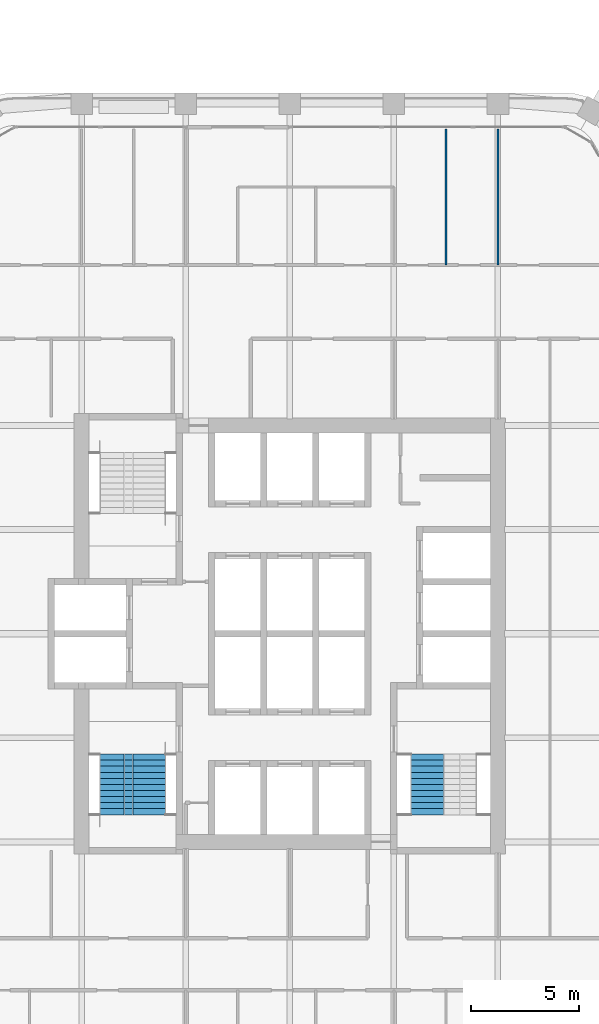
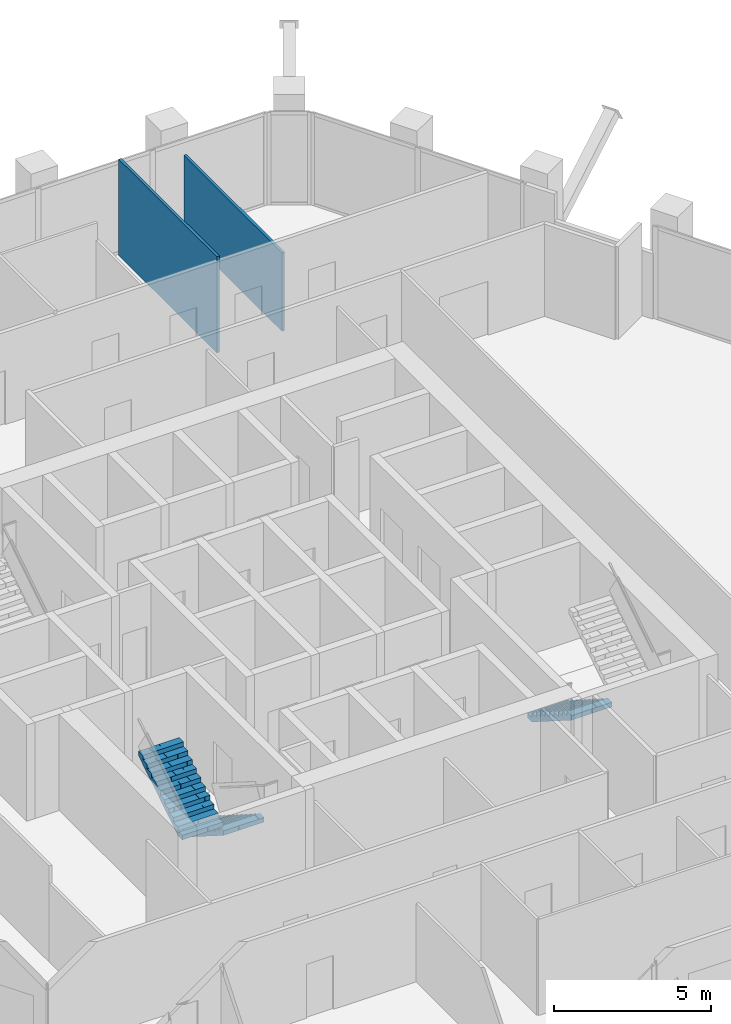
# One storey, part 13 of 16: 3 stair flights, 2 walls, 2 elements without a shape of their own.
"""IFC4 building model written with IfcOpenShell, lengths in metres."""

from ifc_helpers import new_model, si_unit, direction, frame, frame_2d, origin, place, context, subcontext, project, spatial, polyline, rectangle, outline, extrude, material, layer, layer_set, type_object, element, aggregate, save


model = new_model("IFC4")

# Units and contexts
model_context = context("Model", 3, precision=1e-05, world=origin(), true_north=direction((0.0, 1.0)))
body_context = subcontext(model_context, "Body", "Model", "MODEL_VIEW")
ifc_project = project(units=[si_unit("LENGTHUNIT", "METRE"), si_unit("AREAUNIT", "SQUARE_METRE"), si_unit("VOLUMEUNIT", "CUBIC_METRE"), si_unit("PLANEANGLEUNIT", "RADIAN"), si_unit("MASSUNIT", "GRAM", prefix="KILO")], contexts=[model_context])

# Site, building, storey
site_placement = place(None, origin())
site = spatial("IfcSite", under=ifc_project, at=site_placement, CompositionType="ELEMENT")
building_placement = place(site_placement, origin())
building = spatial("IfcBuilding", under=site, at=building_placement, Name="Kolab Exchange Tower", CompositionType="ELEMENT")
storey_placement = place(building_placement, frame((0.0, 0.0, 177.800048828125)))
storey = spatial("IfcBuildingStorey", under=building, at=storey_placement, Name="L37", CompositionType="ELEMENT", Elevation=177.800048828125)

# Walls
ifc_material_1 = material(Name="Gypsum board", Category="gypsum")
ifc_layer = layer(ifc_material_1, 0.10009765625)
ifc_layer_set = layer_set([ifc_layer], Name="Gypsum board")
wall_type = type_object("IfcWallType", Name="PARTITION 100", PredefinedType="PARTITIONING", material=ifc_layer_set)
wall_1_placement = place(storey_placement, frame((9.60009765625, 17.0, 0.0), z_axis=(0.0, 0.0, 1.0), x_axis=(0.0, 1.0, 0.0)))
element("IfcWall", 1, at=wall_1_placement, inside=storey, type_object=wall_type, Name="Partition 004", PredefinedType="PARTITIONING", context=body_context, shape_type="SweptSolid", body=[
    extrude(rectangle(XDim=6.271484375, YDim=0.10009765625, at=frame_2d((3.1357421875, 0.0))), origin(), (0.0, 0.0, 1.0), 3.06591796875),
])
wall_2_placement = place(storey_placement, frame((7.199951171875, 17.0, 0.0), z_axis=(0.0, 0.0, 1.0), x_axis=(0.0, 1.0, 0.0)))
element("IfcWall", 2, at=wall_2_placement, inside=storey, type_object=wall_type, Name="Partition 006", PredefinedType="PARTITIONING", context=body_context, shape_type="SweptSolid", body=[
    extrude(rectangle(XDim=6.271484375, YDim=0.10009765625, at=frame_2d((3.1357421875, 0.0))), origin(), (0.0, 0.0, 1.0), 3.75),
])

# Stair, stair flights
ifc_material_2 = material(Name="Concrete C50/60", Category="concrete")
stair_type_1 = type_object("IfcStairType", Name="STAIR ST3 RISER 177.3", PredefinedType="HALF_TURN_STAIR", material=ifc_material_2)
stair_1_placement = place(storey_placement, origin())
stair_1 = element("IfcStair", 3, at=stair_1_placement, inside=storey, type_object=stair_type_1, Name="Stair 3", PredefinedType="HALF_TURN_STAIR")
stair_flight_type = type_object("IfcStairFlightType", Name="STAIR FLIGHT 1500 RISER 177.3", PredefinedType="STRAIGHT", material=ifc_material_2)
stair_flight_1_placement = place(storey_placement, frame((-6.489990234375, -5.550048828125, 0.0), z_axis=(0.0, 0.0, 1.0), x_axis=(0.0, -1.0, 0.0)))
stair_flight_1 = element("IfcStairFlight", 4, at=stair_flight_1_placement, type_object=stair_flight_type, Name="ST3 flight 1", NumberOfRisers=11, NumberOfTreads=10, PredefinedType="STRAIGHT", RiserHeight=0.177272727, TreadLength=0.28, context=body_context, shape_type="SweptSolid", body=[
    extrude(outline(polyline([(0.0, 0.0), (0.0, 0.17724609375), (0.280029296875, 0.17724609375), (0.280029296875, 0.3544921875), (0.56005859375, 0.3544921875), (0.56005859375, 0.53173828125), (0.840087890625, 0.53173828125), (0.840087890625, 0.708984375), (1.1201171875, 0.708984375), (1.1201171875, 0.886474609375), (1.39990234375, 0.886474609375), (1.39990234375, 1.063720703125), (1.679931640625, 1.063720703125), (1.679931640625, 1.240966796875), (1.9599609375, 1.240966796875), (1.9599609375, 1.418212890625), (2.239990234375, 1.418212890625), (2.239990234375, 1.595458984375), (2.52001953125, 1.595458984375), (2.52001953125, 1.772705078125), (2.800048828125, 1.772705078125), (2.800048828125, 1.949951171875), (2.800048828125, 1.59521484375), (0.2802734375, 0.0), (0.0, 0.0)])), frame((0.0, 0.75, 0.0), z_axis=(0.0, -1.0, 0.0), x_axis=(1.0, 0.0, 0.0)), (0.0, 0.0, 1.0), 0.185791015625),
    extrude(outline(polyline([(0.0, 0.0), (0.0, 0.17724609375), (0.280029296875, 0.17724609375), (0.280029296875, 0.3544921875), (0.56005859375, 0.3544921875), (0.56005859375, 0.53173828125), (0.840087890625, 0.53173828125), (0.840087890625, 0.708984375), (1.1201171875, 0.708984375), (1.1201171875, 0.886474609375), (1.39990234375, 0.886474609375), (1.39990234375, 1.063720703125), (1.679931640625, 1.063720703125), (1.679931640625, 1.240966796875), (1.9599609375, 1.240966796875), (1.9599609375, 1.418212890625), (2.239990234375, 1.418212890625), (2.239990234375, 1.595458984375), (2.52001953125, 1.595458984375), (2.52001953125, 1.772705078125), (2.800048828125, 1.772705078125), (2.800048828125, 1.949951171875), (2.800048828125, 1.59521484375), (0.2802734375, 0.0), (0.0, 0.0)])), frame((0.0, 0.562255859375, 0.0), z_axis=(0.0, -1.0, 0.0), x_axis=(1.0, 0.0, 0.0)), (0.0, 0.0, 1.0), 0.185791015625),
    extrude(outline(polyline([(0.0, 0.0), (0.0, 0.17724609375), (0.280029296875, 0.17724609375), (0.280029296875, 0.3544921875), (0.56005859375, 0.3544921875), (0.56005859375, 0.53173828125), (0.840087890625, 0.53173828125), (0.840087890625, 0.708984375), (1.1201171875, 0.708984375), (1.1201171875, 0.886474609375), (1.39990234375, 0.886474609375), (1.39990234375, 1.063720703125), (1.679931640625, 1.063720703125), (1.679931640625, 1.240966796875), (1.9599609375, 1.240966796875), (1.9599609375, 1.418212890625), (2.239990234375, 1.418212890625), (2.239990234375, 1.595458984375), (2.52001953125, 1.595458984375), (2.52001953125, 1.772705078125), (2.800048828125, 1.772705078125), (2.800048828125, 1.949951171875), (2.800048828125, 1.59521484375), (0.2802734375, 0.0), (0.0, 0.0)])), frame((0.0, 0.37451171875, 0.0), z_axis=(0.0, -1.0, 0.0), x_axis=(1.0, 0.0, 0.0)), (0.0, 0.0, 1.0), 0.185791015625),
    extrude(outline(polyline([(0.0, 0.0), (0.0, 0.17724609375), (0.280029296875, 0.17724609375), (0.280029296875, 0.3544921875), (0.56005859375, 0.3544921875), (0.56005859375, 0.53173828125), (0.840087890625, 0.53173828125), (0.840087890625, 0.708984375), (1.1201171875, 0.708984375), (1.1201171875, 0.886474609375), (1.39990234375, 0.886474609375), (1.39990234375, 1.063720703125), (1.679931640625, 1.063720703125), (1.679931640625, 1.240966796875), (1.9599609375, 1.240966796875), (1.9599609375, 1.418212890625), (2.239990234375, 1.418212890625), (2.239990234375, 1.595458984375), (2.52001953125, 1.595458984375), (2.52001953125, 1.772705078125), (2.800048828125, 1.772705078125), (2.800048828125, 1.949951171875), (2.800048828125, 1.59521484375), (0.2802734375, 0.0), (0.0, 0.0)])), frame((0.0, 0.186767578125, 0.0), z_axis=(0.0, -1.0, 0.0), x_axis=(1.0, 0.0, 0.0)), (0.0, 0.0, 1.0), 0.185791015625),
    extrude(outline(polyline([(0.0, 0.0), (0.0, 0.17724609375), (0.280029296875, 0.17724609375), (0.280029296875, 0.3544921875), (0.56005859375, 0.3544921875), (0.56005859375, 0.53173828125), (0.840087890625, 0.53173828125), (0.840087890625, 0.708984375), (1.1201171875, 0.708984375), (1.1201171875, 0.886474609375), (1.39990234375, 0.886474609375), (1.39990234375, 1.063720703125), (1.679931640625, 1.063720703125), (1.679931640625, 1.240966796875), (1.9599609375, 1.240966796875), (1.9599609375, 1.418212890625), (2.239990234375, 1.418212890625), (2.239990234375, 1.595458984375), (2.52001953125, 1.595458984375), (2.52001953125, 1.772705078125), (2.800048828125, 1.772705078125), (2.800048828125, 1.949951171875), (2.800048828125, 1.59521484375), (0.2802734375, 0.0), (0.0, 0.0)])), frame((0.0, -0.0009765625, 0.0), z_axis=(0.0, -1.0, 0.0), x_axis=(1.0, 0.0, 0.0)), (0.0, 0.0, 1.0), 0.185791015625),
    extrude(outline(polyline([(0.0, 0.0), (0.0, 0.17724609375), (0.280029296875, 0.17724609375), (0.280029296875, 0.3544921875), (0.56005859375, 0.3544921875), (0.56005859375, 0.53173828125), (0.840087890625, 0.53173828125), (0.840087890625, 0.708984375), (1.1201171875, 0.708984375), (1.1201171875, 0.886474609375), (1.39990234375, 0.886474609375), (1.39990234375, 1.063720703125), (1.679931640625, 1.063720703125), (1.679931640625, 1.240966796875), (1.9599609375, 1.240966796875), (1.9599609375, 1.418212890625), (2.239990234375, 1.418212890625), (2.239990234375, 1.595458984375), (2.52001953125, 1.595458984375), (2.52001953125, 1.772705078125), (2.800048828125, 1.772705078125), (2.800048828125, 1.949951171875), (2.800048828125, 1.59521484375), (0.2802734375, 0.0), (0.0, 0.0)])), frame((0.0, -0.188720703125, 0.0), z_axis=(0.0, -1.0, 0.0), x_axis=(1.0, 0.0, 0.0)), (0.0, 0.0, 1.0), 0.185791015625),
    extrude(outline(polyline([(0.0, 0.0), (0.0, 0.17724609375), (0.280029296875, 0.17724609375), (0.280029296875, 0.3544921875), (0.56005859375, 0.3544921875), (0.56005859375, 0.53173828125), (0.840087890625, 0.53173828125), (0.840087890625, 0.708984375), (1.1201171875, 0.708984375), (1.1201171875, 0.886474609375), (1.39990234375, 0.886474609375), (1.39990234375, 1.063720703125), (1.679931640625, 1.063720703125), (1.679931640625, 1.240966796875), (1.9599609375, 1.240966796875), (1.9599609375, 1.418212890625), (2.239990234375, 1.418212890625), (2.239990234375, 1.595458984375), (2.52001953125, 1.595458984375), (2.52001953125, 1.772705078125), (2.800048828125, 1.772705078125), (2.800048828125, 1.949951171875), (2.800048828125, 1.59521484375), (0.2802734375, 0.0), (0.0, 0.0)])), frame((0.0, -0.37646484375, 0.0), z_axis=(0.0, -1.0, 0.0), x_axis=(1.0, 0.0, 0.0)), (0.0, 0.0, 1.0), 0.185791015625),
    extrude(outline(polyline([(0.0, 0.0), (0.0, 0.17724609375), (0.280029296875, 0.17724609375), (0.280029296875, 0.3544921875), (0.56005859375, 0.3544921875), (0.56005859375, 0.53173828125), (0.840087890625, 0.53173828125), (0.840087890625, 0.708984375), (1.1201171875, 0.708984375), (1.1201171875, 0.886474609375), (1.39990234375, 0.886474609375), (1.39990234375, 1.063720703125), (1.679931640625, 1.063720703125), (1.679931640625, 1.240966796875), (1.9599609375, 1.240966796875), (1.9599609375, 1.418212890625), (2.239990234375, 1.418212890625), (2.239990234375, 1.595458984375), (2.52001953125, 1.595458984375), (2.52001953125, 1.772705078125), (2.800048828125, 1.772705078125), (2.800048828125, 1.949951171875), (2.800048828125, 1.59521484375), (0.2802734375, 0.0), (0.0, 0.0)])), frame((0.0, -0.564208984375, 0.0), z_axis=(0.0, -1.0, 0.0), x_axis=(1.0, 0.0, 0.0)), (0.0, 0.0, 1.0), 0.185791015625),
])
stair_flight_2_placement = place(storey_placement, frame((-8.010009765625, -8.35009765625, 1.949951171875), z_axis=(0.0, 0.0, 1.0), x_axis=(0.0, 1.0, 0.0)))
stair_flight_2 = element("IfcStairFlight", 5, at=stair_flight_2_placement, type_object=stair_flight_type, Name="ST3 flight 2", NumberOfRisers=11, NumberOfTreads=10, PredefinedType="STRAIGHT", RiserHeight=0.177272727, TreadLength=0.28, context=body_context, shape_type="SweptSolid", body=[
    extrude(outline(polyline([(0.0, 0.0), (0.0, 0.17724609375), (0.280029296875, 0.17724609375), (0.280029296875, 0.3544921875), (0.56005859375, 0.3544921875), (0.56005859375, 0.53173828125), (0.840087890625, 0.53173828125), (0.840087890625, 0.708984375), (1.1201171875, 0.708984375), (1.1201171875, 0.886474609375), (1.39990234375, 0.886474609375), (1.39990234375, 1.063720703125), (1.679931640625, 1.063720703125), (1.679931640625, 1.240966796875), (1.9599609375, 1.240966796875), (1.9599609375, 1.418212890625), (2.239990234375, 1.418212890625), (2.239990234375, 1.595458984375), (2.52001953125, 1.595458984375), (2.52001953125, 1.772705078125), (2.800048828125, 1.772705078125), (2.800048828125, 1.949951171875), (2.800048828125, 1.59521484375), (0.2802734375, 0.0), (0.0, 0.0)])), frame((0.0, 0.75, 0.0), z_axis=(0.0, -1.0, 0.0), x_axis=(1.0, 0.0, 0.0)), (0.0, 0.0, 1.0), 0.185791015625),
    extrude(outline(polyline([(0.0, 0.0), (0.0, 0.17724609375), (0.280029296875, 0.17724609375), (0.280029296875, 0.3544921875), (0.56005859375, 0.3544921875), (0.56005859375, 0.53173828125), (0.840087890625, 0.53173828125), (0.840087890625, 0.708984375), (1.1201171875, 0.708984375), (1.1201171875, 0.886474609375), (1.39990234375, 0.886474609375), (1.39990234375, 1.063720703125), (1.679931640625, 1.063720703125), (1.679931640625, 1.240966796875), (1.9599609375, 1.240966796875), (1.9599609375, 1.418212890625), (2.239990234375, 1.418212890625), (2.239990234375, 1.595458984375), (2.52001953125, 1.595458984375), (2.52001953125, 1.772705078125), (2.800048828125, 1.772705078125), (2.800048828125, 1.949951171875), (2.800048828125, 1.59521484375), (0.2802734375, 0.0), (0.0, 0.0)])), frame((0.0, 0.562255859375, 0.0), z_axis=(0.0, -1.0, 0.0), x_axis=(1.0, 0.0, 0.0)), (0.0, 0.0, 1.0), 0.185791015625),
    extrude(outline(polyline([(0.0, 0.0), (0.0, 0.17724609375), (0.280029296875, 0.17724609375), (0.280029296875, 0.3544921875), (0.56005859375, 0.3544921875), (0.56005859375, 0.53173828125), (0.840087890625, 0.53173828125), (0.840087890625, 0.708984375), (1.1201171875, 0.708984375), (1.1201171875, 0.886474609375), (1.39990234375, 0.886474609375), (1.39990234375, 1.063720703125), (1.679931640625, 1.063720703125), (1.679931640625, 1.240966796875), (1.9599609375, 1.240966796875), (1.9599609375, 1.418212890625), (2.239990234375, 1.418212890625), (2.239990234375, 1.595458984375), (2.52001953125, 1.595458984375), (2.52001953125, 1.772705078125), (2.800048828125, 1.772705078125), (2.800048828125, 1.949951171875), (2.800048828125, 1.59521484375), (0.2802734375, 0.0), (0.0, 0.0)])), frame((0.0, 0.37451171875, 0.0), z_axis=(0.0, -1.0, 0.0), x_axis=(1.0, 0.0, 0.0)), (0.0, 0.0, 1.0), 0.185791015625),
    extrude(outline(polyline([(0.0, 0.0), (0.0, 0.17724609375), (0.280029296875, 0.17724609375), (0.280029296875, 0.3544921875), (0.56005859375, 0.3544921875), (0.56005859375, 0.53173828125), (0.840087890625, 0.53173828125), (0.840087890625, 0.708984375), (1.1201171875, 0.708984375), (1.1201171875, 0.886474609375), (1.39990234375, 0.886474609375), (1.39990234375, 1.063720703125), (1.679931640625, 1.063720703125), (1.679931640625, 1.240966796875), (1.9599609375, 1.240966796875), (1.9599609375, 1.418212890625), (2.239990234375, 1.418212890625), (2.239990234375, 1.595458984375), (2.52001953125, 1.595458984375), (2.52001953125, 1.772705078125), (2.800048828125, 1.772705078125), (2.800048828125, 1.949951171875), (2.800048828125, 1.59521484375), (0.2802734375, 0.0), (0.0, 0.0)])), frame((0.0, 0.186767578125, 0.0), z_axis=(0.0, -1.0, 0.0), x_axis=(1.0, 0.0, 0.0)), (0.0, 0.0, 1.0), 0.185791015625),
    extrude(outline(polyline([(0.0, 0.0), (0.0, 0.17724609375), (0.280029296875, 0.17724609375), (0.280029296875, 0.3544921875), (0.56005859375, 0.3544921875), (0.56005859375, 0.53173828125), (0.840087890625, 0.53173828125), (0.840087890625, 0.708984375), (1.1201171875, 0.708984375), (1.1201171875, 0.886474609375), (1.39990234375, 0.886474609375), (1.39990234375, 1.063720703125), (1.679931640625, 1.063720703125), (1.679931640625, 1.240966796875), (1.9599609375, 1.240966796875), (1.9599609375, 1.418212890625), (2.239990234375, 1.418212890625), (2.239990234375, 1.595458984375), (2.52001953125, 1.595458984375), (2.52001953125, 1.772705078125), (2.800048828125, 1.772705078125), (2.800048828125, 1.949951171875), (2.800048828125, 1.59521484375), (0.2802734375, 0.0), (0.0, 0.0)])), frame((0.0, -0.0009765625, 0.0), z_axis=(0.0, -1.0, 0.0), x_axis=(1.0, 0.0, 0.0)), (0.0, 0.0, 1.0), 0.185791015625),
    extrude(outline(polyline([(0.0, 0.0), (0.0, 0.17724609375), (0.280029296875, 0.17724609375), (0.280029296875, 0.3544921875), (0.56005859375, 0.3544921875), (0.56005859375, 0.53173828125), (0.840087890625, 0.53173828125), (0.840087890625, 0.708984375), (1.1201171875, 0.708984375), (1.1201171875, 0.886474609375), (1.39990234375, 0.886474609375), (1.39990234375, 1.063720703125), (1.679931640625, 1.063720703125), (1.679931640625, 1.240966796875), (1.9599609375, 1.240966796875), (1.9599609375, 1.418212890625), (2.239990234375, 1.418212890625), (2.239990234375, 1.595458984375), (2.52001953125, 1.595458984375), (2.52001953125, 1.772705078125), (2.800048828125, 1.772705078125), (2.800048828125, 1.949951171875), (2.800048828125, 1.59521484375), (0.2802734375, 0.0), (0.0, 0.0)])), frame((0.0, -0.188720703125, 0.0), z_axis=(0.0, -1.0, 0.0), x_axis=(1.0, 0.0, 0.0)), (0.0, 0.0, 1.0), 0.185791015625),
    extrude(outline(polyline([(0.0, 0.0), (0.0, 0.17724609375), (0.280029296875, 0.17724609375), (0.280029296875, 0.3544921875), (0.56005859375, 0.3544921875), (0.56005859375, 0.53173828125), (0.840087890625, 0.53173828125), (0.840087890625, 0.708984375), (1.1201171875, 0.708984375), (1.1201171875, 0.886474609375), (1.39990234375, 0.886474609375), (1.39990234375, 1.063720703125), (1.679931640625, 1.063720703125), (1.679931640625, 1.240966796875), (1.9599609375, 1.240966796875), (1.9599609375, 1.418212890625), (2.239990234375, 1.418212890625), (2.239990234375, 1.595458984375), (2.52001953125, 1.595458984375), (2.52001953125, 1.772705078125), (2.800048828125, 1.772705078125), (2.800048828125, 1.949951171875), (2.800048828125, 1.59521484375), (0.2802734375, 0.0), (0.0, 0.0)])), frame((0.0, -0.37646484375, 0.0), z_axis=(0.0, -1.0, 0.0), x_axis=(1.0, 0.0, 0.0)), (0.0, 0.0, 1.0), 0.185791015625),
    extrude(outline(polyline([(0.0, 0.0), (0.0, 0.17724609375), (0.280029296875, 0.17724609375), (0.280029296875, 0.3544921875), (0.56005859375, 0.3544921875), (0.56005859375, 0.53173828125), (0.840087890625, 0.53173828125), (0.840087890625, 0.708984375), (1.1201171875, 0.708984375), (1.1201171875, 0.886474609375), (1.39990234375, 0.886474609375), (1.39990234375, 1.063720703125), (1.679931640625, 1.063720703125), (1.679931640625, 1.240966796875), (1.9599609375, 1.240966796875), (1.9599609375, 1.418212890625), (2.239990234375, 1.418212890625), (2.239990234375, 1.595458984375), (2.52001953125, 1.595458984375), (2.52001953125, 1.772705078125), (2.800048828125, 1.772705078125), (2.800048828125, 1.949951171875), (2.800048828125, 1.59521484375), (0.2802734375, 0.0), (0.0, 0.0)])), frame((0.0, -0.564208984375, 0.0), z_axis=(0.0, -1.0, 0.0), x_axis=(1.0, 0.0, 0.0)), (0.0, 0.0, 1.0), 0.185791015625),
])
aggregate(stair_1, [stair_flight_1, stair_flight_2])

# Stair, stair flight
stair_type_2 = type_object("IfcStairType", Name="STAIR ST2 RISER 177.3", PredefinedType="HALF_TURN_STAIR", material=ifc_material_2)
stair_2_placement = place(storey_placement, origin())
stair_2 = element("IfcStair", 6, at=stair_2_placement, inside=storey, type_object=stair_type_2, Name="Stair 2", PredefinedType="HALF_TURN_STAIR")
stair_flight_3_placement = place(storey_placement, frame((6.340087890625, -5.550048828125, 0.0), z_axis=(0.0, 0.0, 1.0), x_axis=(0.0, -1.0, 0.0)))
stair_flight_3 = element("IfcStairFlight", 7, at=stair_flight_3_placement, type_object=stair_flight_type, Name="ST2 flight 1", NumberOfRisers=11, NumberOfTreads=10, PredefinedType="STRAIGHT", RiserHeight=0.177272727, TreadLength=0.28, context=body_context, shape_type="SweptSolid", body=[
    extrude(outline(polyline([(0.0, 0.0), (0.0, 0.17724609375), (0.280029296875, 0.17724609375), (0.280029296875, 0.3544921875), (0.56005859375, 0.3544921875), (0.56005859375, 0.53173828125), (0.840087890625, 0.53173828125), (0.840087890625, 0.708984375), (1.1201171875, 0.708984375), (1.1201171875, 0.886474609375), (1.39990234375, 0.886474609375), (1.39990234375, 1.063720703125), (1.679931640625, 1.063720703125), (1.679931640625, 1.240966796875), (1.9599609375, 1.240966796875), (1.9599609375, 1.418212890625), (2.239990234375, 1.418212890625), (2.239990234375, 1.595458984375), (2.52001953125, 1.595458984375), (2.52001953125, 1.772705078125), (2.800048828125, 1.772705078125), (2.800048828125, 1.949951171875), (2.800048828125, 1.59521484375), (0.2802734375, 0.0), (0.0, 0.0)])), frame((0.0, 0.75, 0.0), z_axis=(0.0, -1.0, 0.0), x_axis=(1.0, 0.0, 0.0)), (0.0, 0.0, 1.0), 0.185791015625),
    extrude(outline(polyline([(0.0, 0.0), (0.0, 0.17724609375), (0.280029296875, 0.17724609375), (0.280029296875, 0.3544921875), (0.56005859375, 0.3544921875), (0.56005859375, 0.53173828125), (0.840087890625, 0.53173828125), (0.840087890625, 0.708984375), (1.1201171875, 0.708984375), (1.1201171875, 0.886474609375), (1.39990234375, 0.886474609375), (1.39990234375, 1.063720703125), (1.679931640625, 1.063720703125), (1.679931640625, 1.240966796875), (1.9599609375, 1.240966796875), (1.9599609375, 1.418212890625), (2.239990234375, 1.418212890625), (2.239990234375, 1.595458984375), (2.52001953125, 1.595458984375), (2.52001953125, 1.772705078125), (2.800048828125, 1.772705078125), (2.800048828125, 1.949951171875), (2.800048828125, 1.59521484375), (0.2802734375, 0.0), (0.0, 0.0)])), frame((0.0, 0.562255859375, 0.0), z_axis=(0.0, -1.0, 0.0), x_axis=(1.0, 0.0, 0.0)), (0.0, 0.0, 1.0), 0.185791015625),
    extrude(outline(polyline([(0.0, 0.0), (0.0, 0.17724609375), (0.280029296875, 0.17724609375), (0.280029296875, 0.3544921875), (0.56005859375, 0.3544921875), (0.56005859375, 0.53173828125), (0.840087890625, 0.53173828125), (0.840087890625, 0.708984375), (1.1201171875, 0.708984375), (1.1201171875, 0.886474609375), (1.39990234375, 0.886474609375), (1.39990234375, 1.063720703125), (1.679931640625, 1.063720703125), (1.679931640625, 1.240966796875), (1.9599609375, 1.240966796875), (1.9599609375, 1.418212890625), (2.239990234375, 1.418212890625), (2.239990234375, 1.595458984375), (2.52001953125, 1.595458984375), (2.52001953125, 1.772705078125), (2.800048828125, 1.772705078125), (2.800048828125, 1.949951171875), (2.800048828125, 1.59521484375), (0.2802734375, 0.0), (0.0, 0.0)])), frame((0.0, 0.37451171875, 0.0), z_axis=(0.0, -1.0, 0.0), x_axis=(1.0, 0.0, 0.0)), (0.0, 0.0, 1.0), 0.185791015625),
    extrude(outline(polyline([(0.0, 0.0), (0.0, 0.17724609375), (0.280029296875, 0.17724609375), (0.280029296875, 0.3544921875), (0.56005859375, 0.3544921875), (0.56005859375, 0.53173828125), (0.840087890625, 0.53173828125), (0.840087890625, 0.708984375), (1.1201171875, 0.708984375), (1.1201171875, 0.886474609375), (1.39990234375, 0.886474609375), (1.39990234375, 1.063720703125), (1.679931640625, 1.063720703125), (1.679931640625, 1.240966796875), (1.9599609375, 1.240966796875), (1.9599609375, 1.418212890625), (2.239990234375, 1.418212890625), (2.239990234375, 1.595458984375), (2.52001953125, 1.595458984375), (2.52001953125, 1.772705078125), (2.800048828125, 1.772705078125), (2.800048828125, 1.949951171875), (2.800048828125, 1.59521484375), (0.2802734375, 0.0), (0.0, 0.0)])), frame((0.0, 0.186767578125, 0.0), z_axis=(0.0, -1.0, 0.0), x_axis=(1.0, 0.0, 0.0)), (0.0, 0.0, 1.0), 0.185791015625),
    extrude(outline(polyline([(0.0, 0.0), (0.0, 0.17724609375), (0.280029296875, 0.17724609375), (0.280029296875, 0.3544921875), (0.56005859375, 0.3544921875), (0.56005859375, 0.53173828125), (0.840087890625, 0.53173828125), (0.840087890625, 0.708984375), (1.1201171875, 0.708984375), (1.1201171875, 0.886474609375), (1.39990234375, 0.886474609375), (1.39990234375, 1.063720703125), (1.679931640625, 1.063720703125), (1.679931640625, 1.240966796875), (1.9599609375, 1.240966796875), (1.9599609375, 1.418212890625), (2.239990234375, 1.418212890625), (2.239990234375, 1.595458984375), (2.52001953125, 1.595458984375), (2.52001953125, 1.772705078125), (2.800048828125, 1.772705078125), (2.800048828125, 1.949951171875), (2.800048828125, 1.59521484375), (0.2802734375, 0.0), (0.0, 0.0)])), frame((0.0, -0.0009765625, 0.0), z_axis=(0.0, -1.0, 0.0), x_axis=(1.0, 0.0, 0.0)), (0.0, 0.0, 1.0), 0.185791015625),
    extrude(outline(polyline([(0.0, 0.0), (0.0, 0.17724609375), (0.280029296875, 0.17724609375), (0.280029296875, 0.3544921875), (0.56005859375, 0.3544921875), (0.56005859375, 0.53173828125), (0.840087890625, 0.53173828125), (0.840087890625, 0.708984375), (1.1201171875, 0.708984375), (1.1201171875, 0.886474609375), (1.39990234375, 0.886474609375), (1.39990234375, 1.063720703125), (1.679931640625, 1.063720703125), (1.679931640625, 1.240966796875), (1.9599609375, 1.240966796875), (1.9599609375, 1.418212890625), (2.239990234375, 1.418212890625), (2.239990234375, 1.595458984375), (2.52001953125, 1.595458984375), (2.52001953125, 1.772705078125), (2.800048828125, 1.772705078125), (2.800048828125, 1.949951171875), (2.800048828125, 1.59521484375), (0.2802734375, 0.0), (0.0, 0.0)])), frame((0.0, -0.188720703125, 0.0), z_axis=(0.0, -1.0, 0.0), x_axis=(1.0, 0.0, 0.0)), (0.0, 0.0, 1.0), 0.185791015625),
    extrude(outline(polyline([(0.0, 0.0), (0.0, 0.17724609375), (0.280029296875, 0.17724609375), (0.280029296875, 0.3544921875), (0.56005859375, 0.3544921875), (0.56005859375, 0.53173828125), (0.840087890625, 0.53173828125), (0.840087890625, 0.708984375), (1.1201171875, 0.708984375), (1.1201171875, 0.886474609375), (1.39990234375, 0.886474609375), (1.39990234375, 1.063720703125), (1.679931640625, 1.063720703125), (1.679931640625, 1.240966796875), (1.9599609375, 1.240966796875), (1.9599609375, 1.418212890625), (2.239990234375, 1.418212890625), (2.239990234375, 1.595458984375), (2.52001953125, 1.595458984375), (2.52001953125, 1.772705078125), (2.800048828125, 1.772705078125), (2.800048828125, 1.949951171875), (2.800048828125, 1.59521484375), (0.2802734375, 0.0), (0.0, 0.0)])), frame((0.0, -0.37646484375, 0.0), z_axis=(0.0, -1.0, 0.0), x_axis=(1.0, 0.0, 0.0)), (0.0, 0.0, 1.0), 0.185791015625),
    extrude(outline(polyline([(0.0, 0.0), (0.0, 0.17724609375), (0.280029296875, 0.17724609375), (0.280029296875, 0.3544921875), (0.56005859375, 0.3544921875), (0.56005859375, 0.53173828125), (0.840087890625, 0.53173828125), (0.840087890625, 0.708984375), (1.1201171875, 0.708984375), (1.1201171875, 0.886474609375), (1.39990234375, 0.886474609375), (1.39990234375, 1.063720703125), (1.679931640625, 1.063720703125), (1.679931640625, 1.240966796875), (1.9599609375, 1.240966796875), (1.9599609375, 1.418212890625), (2.239990234375, 1.418212890625), (2.239990234375, 1.595458984375), (2.52001953125, 1.595458984375), (2.52001953125, 1.772705078125), (2.800048828125, 1.772705078125), (2.800048828125, 1.949951171875), (2.800048828125, 1.59521484375), (0.2802734375, 0.0), (0.0, 0.0)])), frame((0.0, -0.564208984375, 0.0), z_axis=(0.0, -1.0, 0.0), x_axis=(1.0, 0.0, 0.0)), (0.0, 0.0, 1.0), 0.185791015625),
])
aggregate(stair_2, [stair_flight_3])

save(model, "model.ifc")
